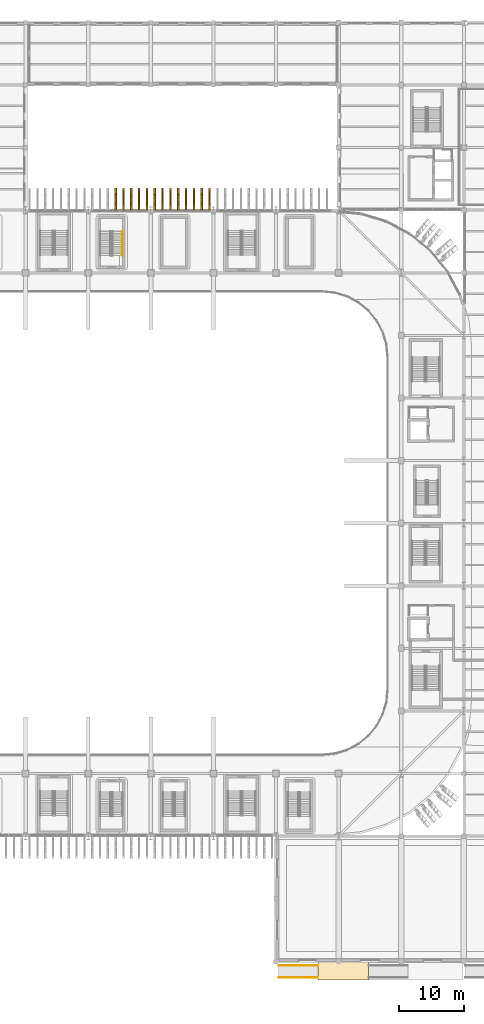
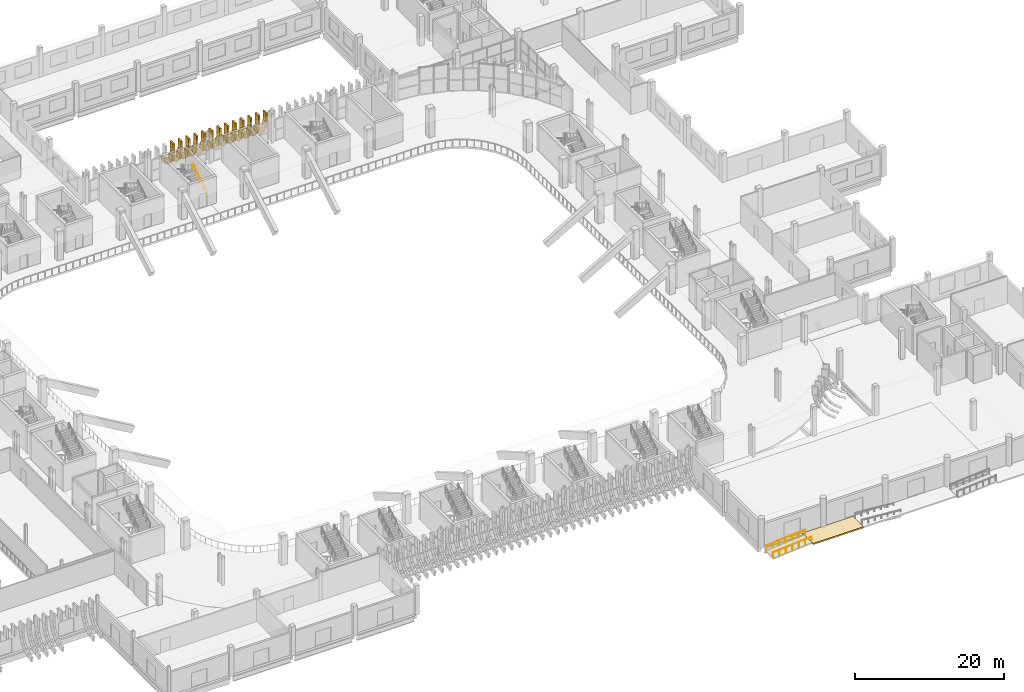
# One storey, part 88 of 100: 79 coverings, 3 railings.
"""IFC4 building model written with IfcOpenShell, lengths in metres."""

import ifcopenshell
import ifcopenshell.guid

model = None  # the IFC model being written
_history = None  # IfcOwnerHistory: only IFC2X3 demands one
_inside = {}  # id of a spatial element -> (the spatial element, [elements in it])
_under = {}  # id of a project, library or spatial element -> (it, [spatial elements below it])
_declared = {}  # id of a project -> (the project, [libraries it declares])
_typed = {}  # id of a type object -> (the type object, [elements of that type])
_made_of = {}  # id of a material, layer set ... -> (it, [elements and type objects made of it])


def new_model(schema):
    """Start an empty IFC model of exactly this schema.

    Asked for "IFC4X3", IfcOpenShell would pick the latest addendum, in which some entities
    have other attributes; the version numbers below select the first issue.
    IFC2X3 requires an IfcOwnerHistory on every rooted entity: one is made here for all.
    """
    global model, _history
    if schema == "IFC4X3":
        model = ifcopenshell.file(schema_version=(4, 3, 0, 0))
    else:
        model = ifcopenshell.file(schema=schema)
    _inside.clear()
    _under.clear()
    _declared.clear()
    _typed.clear()
    _made_of.clear()
    _history = None
    if model.schema == "IFC2X3":
        org = make("IfcOrganization", Name="unknown")
        user = make(
            "IfcPersonAndOrganization",
            ThePerson=make("IfcPerson", FamilyName="unknown"),
            TheOrganization=org,
        )
        app = make(
            "IfcApplication",
            ApplicationDeveloper=org,
            Version="unknown",
            ApplicationFullName="unknown",
            ApplicationIdentifier="unknown",
        )
        _history = make(
            "IfcOwnerHistory",
            OwningUser=user,
            OwningApplication=app,
            ChangeAction="ADDED",
            CreationDate=0,
        )
    return model


def make(cls, **values):
    """One entity of the class cls with the attributes given. An attribute that is None is left unset."""
    return model.create_entity(
        cls, **{name: value for name, value in values.items() if value is not None}
    )


def rooted(cls, **values):
    """An entity with a GlobalId (a new one), such as an element, a storey or a relation."""
    return make(cls, GlobalId=ifcopenshell.guid.new(), OwnerHistory=_history, **values)


def si_unit(unit_type, name, prefix=None):
    """IfcSIUnit, for example si_unit("LENGTHUNIT", "METRE", prefix="MILLI")."""
    return make("IfcSIUnit", UnitType=unit_type, Prefix=prefix, Name=name)


def assignment(units):
    """IfcUnitAssignment: the units of a project."""
    return None if units is None else make("IfcUnitAssignment", Units=units)


def point(xyz):
    """IfcCartesianPoint."""
    return None if xyz is None else make("IfcCartesianPoint", Coordinates=xyz)


def direction(xyz):
    """IfcDirection."""
    return None if xyz is None else make("IfcDirection", DirectionRatios=xyz)


def frame(location, z_axis=None, x_axis=None):
    """IfcAxis2Placement3D, a coordinate frame: its origin and axes. An axis left out is left unset."""
    return make(
        "IfcAxis2Placement3D",
        Location=point(location),
        Axis=direction(z_axis),
        RefDirection=direction(x_axis),
    )


def frame_2d(location, x_axis=None):
    """IfcAxis2Placement2D, a coordinate frame in the plane: its origin and x axis."""
    return make(
        "IfcAxis2Placement2D", Location=point(location), RefDirection=direction(x_axis)
    )


def origin():
    """The frame at (0, 0, 0) with its axes left unset."""
    return frame((0.0, 0.0, 0.0))


def origin_2d():
    """The frame at (0, 0) in the plane with its x axis left unset."""
    return frame_2d((0.0, 0.0))


def place(relative_to, where):
    """IfcLocalPlacement: puts the frame where relative to a parent placement (None: the world)."""
    return make(
        "IfcLocalPlacement", PlacementRelTo=relative_to, RelativePlacement=where
    )


def context(
    kind, dimensions, precision=None, world=None, true_north=None, identifier=None
):
    """IfcGeometricRepresentationContext, for example the 3D "Model" context."""
    return make(
        "IfcGeometricRepresentationContext",
        ContextIdentifier=identifier,
        ContextType=kind,
        CoordinateSpaceDimension=dimensions,
        Precision=precision,
        WorldCoordinateSystem=world,
        TrueNorth=true_north,
    )


def subcontext(parent, identifier, kind, view, scale=None):
    """IfcGeometricRepresentationSubContext, for example "Body" below "Model"."""
    return make(
        "IfcGeometricRepresentationSubContext",
        ContextIdentifier=identifier,
        ContextType=kind,
        ParentContext=parent,
        TargetScale=scale,
        TargetView=view,
    )


def project(units=None, contexts=None):
    """IfcProject with its units and contexts."""
    return rooted(
        "IfcProject",
        Name="project",
        RepresentationContexts=contexts,
        UnitsInContext=assignment(units),
    )


def spatial(cls, under=None, at=None, **own):
    """A site, building, storey or space (cls), placed at a placement, below another one or the project."""
    s = rooted(cls, ObjectPlacement=at, **own)
    if under is not None:
        _under.setdefault(under.id(), (under, []))[1].append(s)
    return s


def polyline(points):
    """IfcPolyline through the points."""
    return make("IfcPolyline", Points=[point(p) for p in points])


def profile(cls, at=None, kind="AREA", **sizes):
    """A parametric profile (cls). Its sizes go by their IFC names, for example OverallWidth=200.0."""
    return make(cls, ProfileType=kind, Position=at, **sizes)


def rectangle(**sizes):
    """IfcRectangleProfileDef."""
    return profile("IfcRectangleProfileDef", **sizes)


def circle(**sizes):
    """IfcCircleProfileDef."""
    return profile("IfcCircleProfileDef", **sizes)


def outline(outer, holes=None, kind="AREA"):
    """IfcArbitraryClosedProfileDef: a profile drawn as a closed curve; with holes, ...WithVoids."""
    if holes is None:
        return make("IfcArbitraryClosedProfileDef", ProfileType=kind, OuterCurve=outer)
    return make(
        "IfcArbitraryProfileDefWithVoids",
        ProfileType=kind,
        OuterCurve=outer,
        InnerCurves=holes,
    )


def extrude(swept, where, along, depth):
    """IfcExtrudedAreaSolid: the profile swept, set in the frame where, extruded along a direction by depth."""
    return make(
        "IfcExtrudedAreaSolid",
        SweptArea=swept,
        Position=where,
        ExtrudedDirection=direction(along),
        Depth=depth,
    )


def shape(context_of_items, identifier, shape_type, items):
    """IfcShapeRepresentation: the items that make up one representation, for example the "Body"."""
    return make(
        "IfcShapeRepresentation",
        ContextOfItems=context_of_items,
        RepresentationIdentifier=identifier,
        RepresentationType=shape_type,
        Items=items,
    )


def material(Name=None, Category=None):
    """IfcMaterial."""
    return make("IfcMaterial", Name=Name, Category=Category)


def layer(
    of_material, thickness, ventilated=None, Name=None, Category=None, Priority=None
):
    """IfcMaterialLayer: one layer of a wall or slab, of a material (None: an air gap)."""
    return make(
        "IfcMaterialLayer",
        Material=of_material,
        LayerThickness=thickness,
        IsVentilated=ventilated,
        Name=Name,
        Category=Category,
        Priority=Priority,
    )


def layer_set(layers, Name=None):
    """IfcMaterialLayerSet."""
    return make("IfcMaterialLayerSet", MaterialLayers=layers, LayerSetName=Name)


def material_profile(
    of_material, cross_section, Name=None, Category=None, Priority=None
):
    """IfcMaterialProfile: a cross section and its material."""
    return make(
        "IfcMaterialProfile",
        Name=Name,
        Material=of_material,
        Profile=cross_section,
        Priority=Priority,
        Category=Category,
    )


def profile_set(profiles, Name=None, composite=None):
    """IfcMaterialProfileSet."""
    return make(
        "IfcMaterialProfileSet",
        Name=Name,
        MaterialProfiles=profiles,
        CompositeProfile=composite,
    )


def made_of(thing, what):
    """Note that an element or type object is made of a material, layer set ...; save() writes the relation."""
    if what is not None:
        _made_of.setdefault(what.id(), (what, []))[1].append(thing)
    return thing


def type_object(cls, material=None, **own):
    """A type object (cls), such as IfcWallType, which elements share."""
    return made_of(rooted(cls, **own), material)


def element(
    cls,
    number,
    at=None,
    inside=None,
    cuts=None,
    type_object=None,
    material=None,
    context=None,
    identifier="Body",
    shape_type=None,
    held_by="IfcProductDefinitionShape",
    body=None,
    shapes=None,
    **own,
):
    """One element of the class cls, such as IfcWall. Its Tag is "e" and its number.

    at: its placement. inside: the storey or other place that contains it. cuts: it is an
    opening in that element (IfcRelVoidsElement). A single representation is given by context,
    identifier, shape_type and body (its items); several are given by shapes. held_by: the class
    of the entity that holds the representations. save() writes the other relations.
    """
    e = rooted(cls, Tag="e%d" % number, ObjectPlacement=at, **own)
    if body is not None:
        shapes = [shape(context, identifier, shape_type, body)]
    if shapes is not None:
        e.Representation = make(held_by, Representations=shapes)
    if inside is not None:
        _inside.setdefault(inside.id(), (inside, []))[1].append(e)
    if cuts is not None:
        rooted(
            "IfcRelVoidsElement", RelatingBuildingElement=cuts, RelatedOpeningElement=e
        )
    if type_object is not None:
        _typed.setdefault(type_object.id(), (type_object, []))[1].append(e)
    return made_of(e, material)


def aggregate(whole, parts):
    """IfcRelAggregates: a whole, such as a stair, and the parts it consists of."""
    return rooted("IfcRelAggregates", RelatingObject=whole, RelatedObjects=parts)


def save(model, path):
    """Write the relations noted so far, then the file.

    IfcRelAggregates (storeys below a building ...), IfcRelContainedInSpatialStructure (elements
    in a storey), IfcRelDefinesByType, IfcRelAssociatesMaterial and IfcRelDeclares: one each for
    every whole, place, type object, material and project.
    """
    for whole, parts in _under.values():
        aggregate(whole, parts)
    for where, things in _inside.values():
        rooted(
            "IfcRelContainedInSpatialStructure",
            RelatedElements=things,
            RelatingStructure=where,
        )
    for kind, things in _typed.values():
        rooted("IfcRelDefinesByType", RelatedObjects=things, RelatingType=kind)
    for what, things in _made_of.values():
        rooted("IfcRelAssociatesMaterial", RelatedObjects=things, RelatingMaterial=what)
    for by, libraries in _declared.values():
        rooted("IfcRelDeclares", RelatingContext=by, RelatedDefinitions=libraries)
    model.write(path)


model = new_model("IFC4")

# Units and contexts
model_context = context("Model", 3, precision=1e-05, world=origin(), true_north=direction((0.0, 1.0)))
body_context = subcontext(model_context, "Body", "Model", "MODEL_VIEW")
ifc_project = project(units=[si_unit("LENGTHUNIT", "METRE"), si_unit("AREAUNIT", "SQUARE_METRE"), si_unit("VOLUMEUNIT", "CUBIC_METRE"), si_unit("PLANEANGLEUNIT", "RADIAN"), si_unit("MASSUNIT", "GRAM", prefix="KILO")], contexts=[model_context])

# Site, building, storey
site_placement = place(None, origin())
site = spatial("IfcSite", under=ifc_project, at=site_placement, CompositionType="ELEMENT")
building_placement = place(site_placement, origin())
building = spatial("IfcBuilding", under=site, at=building_placement, Name="Caelomonte Colonnade Arena", CompositionType="ELEMENT")
storey_placement = place(building_placement, origin())
storey = spatial("IfcBuildingStorey", under=building, at=storey_placement, Name="L00", CompositionType="ELEMENT", Elevation=0.0)

# Coverings
ifc_material_1 = material(Name="Travertine colonnade arrival paving", Category="masonry")
ifc_layer = layer(ifc_material_1, 0.0400390625)
ifc_layer_set = layer_set([ifc_layer], Name="Travertine colonnade arrival paving")
covering_type_1 = type_object("IfcCoveringType", Name="ENV-CV-PAV25", PredefinedType="FLOORING", material=ifc_layer_set)
covering_1_placement = place(storey_placement, frame((0.0, 0.0, -0.219970703125)))
element("IfcCovering", 1, at=covering_1_placement, inside=storey, type_object=covering_type_1, Name="Portico forecourt accessible landing 1", PredefinedType="FLOORING", context=body_context, shape_type="SweptSolid", body=[
    extrude(outline(polyline([(140.800048828125, -2.85009765625), (148.60009765625, -2.85009765625), (148.60009765625, -0.02001953125), (140.800048828125, -0.02001953125), (140.800048828125, -2.85009765625)])), origin(), (0.0, 0.0, 1.0), 0.219970703125),
])
ifc_material_2 = material(Name="Precast travertine cladding", Category="masonry")
ifc_material_profile = material_profile(ifc_material_2, rectangle(XDim=0.260009765625, YDim=0.85009765625, at=origin_2d()), Name="FIN260X850")
ifc_profile_set = profile_set([ifc_material_profile], Name="Precast travertine cladding")
covering_type_2 = type_object("IfcCoveringType", Name="ENV-FN-SKIRT", PredefinedType="CLADDING", material=ifc_profile_set)
covering_2_placement = place(storey_placement, frame((124.199951171875, 115.62109375, 3.360107421875), z_axis=(0.0, 0.0, 1.0), x_axis=(1.0, 0.0, 0.0)))
element("IfcCovering", 2, at=covering_2_placement, inside=storey, type_object=covering_type_2, Name="V1 L00 upper classical fin stem 108", PredefinedType="CLADDING", context=body_context, shape_type="SweptSolid", body=[
    extrude(rectangle(XDim=0.260009765625, YDim=0.85009765625, at=origin_2d()), origin(), (0.0, 0.0, 1.0), 1.4599609375),
])
for number, where, z_axis, x_axis, name in (
    (3, (124.199951171875, 115.614013671875, 3.474609375), (0.0, 0.153076342973, -0.988214366027), (-1.0, 0.0, 0.0), "V1 L00 splayed classical fin skirt chord 1 (108)"),
    (4, (124.199951171875, 115.741455078125, 2.563232421875), (0.0, 0.444692864571, -0.89568312265), (-1.0, 0.0, 0.0), "V1 L00 splayed classical fin skirt chord 2 (108)"),
    (5, (124.199951171875, 116.13818359375, 1.733154296875), (0.0, 0.694646381209, -0.71935137803), (-1.0, 0.0, 0.0), "V1 L00 splayed classical fin skirt chord 3 (108)"),
    (6, (124.199951171875, 116.767578125, 1.061767578125), (0.0, 0.879731158529, -0.475471438379), (-1.0, 0.0, 0.0), "V1 L00 splayed classical fin skirt chord 4 (108)"),
):
    element("IfcCovering", number, at=place(storey_placement, frame(where, z_axis=z_axis, x_axis=x_axis)), inside=storey, type_object=covering_type_2, Name=name, PredefinedType="CLADDING", context=body_context, shape_type="SweptSolid", body=[
        extrude(rectangle(XDim=0.260009765625, YDim=0.85009765625, at=origin_2d()), origin(), (0.0, 0.0, 1.0), 1.008056640625),
    ])
covering_3_placement = place(storey_placement, frame((124.199951171875, 117.5703125, 0.6123046875), z_axis=(0.0, 0.982296384632, -0.187333426643), x_axis=(-1.0, 0.0, 0.0)))
element("IfcCovering", 7, at=covering_3_placement, inside=storey, type_object=covering_type_2, Name="V1 L00 splayed classical fin skirt chord 5 (108)", PredefinedType="CLADDING", context=body_context, shape_type="SweptSolid", body=[
    extrude(rectangle(XDim=0.260009765625, YDim=0.85009765625, at=origin_2d()), origin(), (0.0, 0.0, 1.0), 0.963134765625),
])
covering_4_placement = place(storey_placement, frame((123.0, 115.62109375, 3.360107421875), z_axis=(0.0, 0.0, 1.0), x_axis=(1.0, 0.0, 0.0)))
element("IfcCovering", 8, at=covering_4_placement, inside=storey, type_object=covering_type_2, Name="V1 L00 upper classical fin stem 109", PredefinedType="CLADDING", context=body_context, shape_type="SweptSolid", body=[
    extrude(rectangle(XDim=0.260009765625, YDim=0.85009765625, at=origin_2d()), origin(), (0.0, 0.0, 1.0), 1.4599609375),
])
for number, where, z_axis, x_axis, name in (
    (9, (123.0, 115.614013671875, 3.474609375), (0.0, 0.153076342973, -0.988214366027), (-1.0, 0.0, 0.0), "V1 L00 splayed classical fin skirt chord 1 (109)"),
    (10, (123.0, 115.741455078125, 2.563232421875), (0.0, 0.444692864571, -0.89568312265), (-1.0, 0.0, 0.0), "V1 L00 splayed classical fin skirt chord 2 (109)"),
    (11, (123.0, 116.13818359375, 1.733154296875), (0.0, 0.694646381209, -0.71935137803), (-1.0, 0.0, 0.0), "V1 L00 splayed classical fin skirt chord 3 (109)"),
    (12, (123.0, 116.767578125, 1.061767578125), (0.0, 0.879731158529, -0.475471438379), (-1.0, 0.0, 0.0), "V1 L00 splayed classical fin skirt chord 4 (109)"),
):
    element("IfcCovering", number, at=place(storey_placement, frame(where, z_axis=z_axis, x_axis=x_axis)), inside=storey, type_object=covering_type_2, Name=name, PredefinedType="CLADDING", context=body_context, shape_type="SweptSolid", body=[
        extrude(rectangle(XDim=0.260009765625, YDim=0.85009765625, at=origin_2d()), origin(), (0.0, 0.0, 1.0), 1.008056640625),
    ])
covering_5_placement = place(storey_placement, frame((123.0, 117.5703125, 0.6123046875), z_axis=(0.0, 0.982296384632, -0.187333426643), x_axis=(-1.0, 0.0, 0.0)))
element("IfcCovering", 13, at=covering_5_placement, inside=storey, type_object=covering_type_2, Name="V1 L00 splayed classical fin skirt chord 5 (109)", PredefinedType="CLADDING", context=body_context, shape_type="SweptSolid", body=[
    extrude(rectangle(XDim=0.260009765625, YDim=0.85009765625, at=origin_2d()), origin(), (0.0, 0.0, 1.0), 0.963134765625),
])
covering_6_placement = place(storey_placement, frame((121.800048828125, 115.62109375, 3.360107421875), z_axis=(0.0, 0.0, 1.0), x_axis=(1.0, 0.0, 0.0)))
element("IfcCovering", 14, at=covering_6_placement, inside=storey, type_object=covering_type_2, Name="V1 L00 upper classical fin stem 110", PredefinedType="CLADDING", context=body_context, shape_type="SweptSolid", body=[
    extrude(rectangle(XDim=0.260009765625, YDim=0.85009765625, at=origin_2d()), origin(), (0.0, 0.0, 1.0), 1.4599609375),
])
for number, where, z_axis, x_axis, name in (
    (15, (121.800048828125, 115.614013671875, 3.474609375), (0.0, 0.153076342973, -0.988214366027), (-1.0, 0.0, 0.0), "V1 L00 splayed classical fin skirt chord 1 (110)"),
    (16, (121.800048828125, 115.741455078125, 2.563232421875), (0.0, 0.444692864571, -0.89568312265), (-1.0, 0.0, 0.0), "V1 L00 splayed classical fin skirt chord 2 (110)"),
    (17, (121.800048828125, 116.13818359375, 1.733154296875), (0.0, 0.694646381209, -0.71935137803), (-1.0, 0.0, 0.0), "V1 L00 splayed classical fin skirt chord 3 (110)"),
    (18, (121.800048828125, 116.767578125, 1.061767578125), (0.0, 0.879731158529, -0.475471438379), (-1.0, 0.0, 0.0), "V1 L00 splayed classical fin skirt chord 4 (110)"),
):
    element("IfcCovering", number, at=place(storey_placement, frame(where, z_axis=z_axis, x_axis=x_axis)), inside=storey, type_object=covering_type_2, Name=name, PredefinedType="CLADDING", context=body_context, shape_type="SweptSolid", body=[
        extrude(rectangle(XDim=0.260009765625, YDim=0.85009765625, at=origin_2d()), origin(), (0.0, 0.0, 1.0), 1.008056640625),
    ])
covering_7_placement = place(storey_placement, frame((121.800048828125, 117.5703125, 0.6123046875), z_axis=(0.0, 0.982296384632, -0.187333426643), x_axis=(-1.0, 0.0, 0.0)))
element("IfcCovering", 19, at=covering_7_placement, inside=storey, type_object=covering_type_2, Name="V1 L00 splayed classical fin skirt chord 5 (110)", PredefinedType="CLADDING", context=body_context, shape_type="SweptSolid", body=[
    extrude(rectangle(XDim=0.260009765625, YDim=0.85009765625, at=origin_2d()), origin(), (0.0, 0.0, 1.0), 0.963134765625),
])
covering_8_placement = place(storey_placement, frame((120.60009765625, 115.62109375, 3.360107421875), z_axis=(0.0, 0.0, 1.0), x_axis=(1.0, 0.0, 0.0)))
element("IfcCovering", 20, at=covering_8_placement, inside=storey, type_object=covering_type_2, Name="V1 L00 upper classical fin stem 111", PredefinedType="CLADDING", context=body_context, shape_type="SweptSolid", body=[
    extrude(rectangle(XDim=0.260009765625, YDim=0.85009765625, at=origin_2d()), origin(), (0.0, 0.0, 1.0), 1.4599609375),
])
for number, where, z_axis, x_axis, name in (
    (21, (120.60009765625, 115.614013671875, 3.474609375), (0.0, 0.153076342973, -0.988214366027), (-1.0, 0.0, 0.0), "V1 L00 splayed classical fin skirt chord 1 (111)"),
    (22, (120.60009765625, 115.741455078125, 2.563232421875), (0.0, 0.444692864571, -0.89568312265), (-1.0, 0.0, 0.0), "V1 L00 splayed classical fin skirt chord 2 (111)"),
    (23, (120.60009765625, 116.13818359375, 1.733154296875), (0.0, 0.694646381209, -0.71935137803), (-1.0, 0.0, 0.0), "V1 L00 splayed classical fin skirt chord 3 (111)"),
    (24, (120.60009765625, 116.767578125, 1.061767578125), (0.0, 0.879731158529, -0.475471438379), (-1.0, 0.0, 0.0), "V1 L00 splayed classical fin skirt chord 4 (111)"),
):
    element("IfcCovering", number, at=place(storey_placement, frame(where, z_axis=z_axis, x_axis=x_axis)), inside=storey, type_object=covering_type_2, Name=name, PredefinedType="CLADDING", context=body_context, shape_type="SweptSolid", body=[
        extrude(rectangle(XDim=0.260009765625, YDim=0.85009765625, at=origin_2d()), origin(), (0.0, 0.0, 1.0), 1.008056640625),
    ])
covering_9_placement = place(storey_placement, frame((120.60009765625, 117.5703125, 0.6123046875), z_axis=(0.0, 0.982296384632, -0.187333426643), x_axis=(-1.0, 0.0, 0.0)))
element("IfcCovering", 25, at=covering_9_placement, inside=storey, type_object=covering_type_2, Name="V1 L00 splayed classical fin skirt chord 5 (111)", PredefinedType="CLADDING", context=body_context, shape_type="SweptSolid", body=[
    extrude(rectangle(XDim=0.260009765625, YDim=0.85009765625, at=origin_2d()), origin(), (0.0, 0.0, 1.0), 0.963134765625),
])
covering_10_placement = place(storey_placement, frame((119.39990234375, 115.62109375, 3.360107421875), z_axis=(0.0, 0.0, 1.0), x_axis=(1.0, 0.0, 0.0)))
element("IfcCovering", 26, at=covering_10_placement, inside=storey, type_object=covering_type_2, Name="V1 L00 upper classical fin stem 112", PredefinedType="CLADDING", context=body_context, shape_type="SweptSolid", body=[
    extrude(rectangle(XDim=0.260009765625, YDim=0.85009765625, at=origin_2d()), origin(), (0.0, 0.0, 1.0), 1.4599609375),
])
for number, where, z_axis, x_axis, name in (
    (27, (119.39990234375, 115.614013671875, 3.474609375), (0.0, 0.153076342973, -0.988214366027), (-1.0, 0.0, 0.0), "V1 L00 splayed classical fin skirt chord 1 (112)"),
    (28, (119.39990234375, 115.741455078125, 2.563232421875), (0.0, 0.444692864571, -0.89568312265), (-1.0, 0.0, 0.0), "V1 L00 splayed classical fin skirt chord 2 (112)"),
    (29, (119.39990234375, 116.13818359375, 1.733154296875), (0.0, 0.694646381209, -0.71935137803), (-1.0, 0.0, 0.0), "V1 L00 splayed classical fin skirt chord 3 (112)"),
    (30, (119.39990234375, 116.767578125, 1.061767578125), (0.0, 0.879731158529, -0.475471438379), (-1.0, 0.0, 0.0), "V1 L00 splayed classical fin skirt chord 4 (112)"),
):
    element("IfcCovering", number, at=place(storey_placement, frame(where, z_axis=z_axis, x_axis=x_axis)), inside=storey, type_object=covering_type_2, Name=name, PredefinedType="CLADDING", context=body_context, shape_type="SweptSolid", body=[
        extrude(rectangle(XDim=0.260009765625, YDim=0.85009765625, at=origin_2d()), origin(), (0.0, 0.0, 1.0), 1.008056640625),
    ])
covering_11_placement = place(storey_placement, frame((119.39990234375, 117.5703125, 0.6123046875), z_axis=(0.0, 0.982296384632, -0.187333426643), x_axis=(-1.0, 0.0, 0.0)))
element("IfcCovering", 31, at=covering_11_placement, inside=storey, type_object=covering_type_2, Name="V1 L00 splayed classical fin skirt chord 5 (112)", PredefinedType="CLADDING", context=body_context, shape_type="SweptSolid", body=[
    extrude(rectangle(XDim=0.260009765625, YDim=0.85009765625, at=origin_2d()), origin(), (0.0, 0.0, 1.0), 0.963134765625),
])
covering_12_placement = place(storey_placement, frame((118.199951171875, 115.62109375, 3.360107421875), z_axis=(0.0, 0.0, 1.0), x_axis=(1.0, 0.0, 0.0)))
element("IfcCovering", 32, at=covering_12_placement, inside=storey, type_object=covering_type_2, Name="V1 L00 upper classical fin stem 113", PredefinedType="CLADDING", context=body_context, shape_type="SweptSolid", body=[
    extrude(rectangle(XDim=0.260009765625, YDim=0.85009765625, at=origin_2d()), origin(), (0.0, 0.0, 1.0), 1.4599609375),
])
for number, where, z_axis, x_axis, name in (
    (33, (118.199951171875, 115.614013671875, 3.474609375), (0.0, 0.153076342973, -0.988214366027), (-1.0, 0.0, 0.0), "V1 L00 splayed classical fin skirt chord 1 (113)"),
    (34, (118.199951171875, 115.741455078125, 2.563232421875), (0.0, 0.444692864571, -0.89568312265), (-1.0, 0.0, 0.0), "V1 L00 splayed classical fin skirt chord 2 (113)"),
    (35, (118.199951171875, 116.13818359375, 1.733154296875), (0.0, 0.694646381209, -0.71935137803), (-1.0, 0.0, 0.0), "V1 L00 splayed classical fin skirt chord 3 (113)"),
    (36, (118.199951171875, 116.767578125, 1.061767578125), (0.0, 0.879731158529, -0.475471438379), (-1.0, 0.0, 0.0), "V1 L00 splayed classical fin skirt chord 4 (113)"),
):
    element("IfcCovering", number, at=place(storey_placement, frame(where, z_axis=z_axis, x_axis=x_axis)), inside=storey, type_object=covering_type_2, Name=name, PredefinedType="CLADDING", context=body_context, shape_type="SweptSolid", body=[
        extrude(rectangle(XDim=0.260009765625, YDim=0.85009765625, at=origin_2d()), origin(), (0.0, 0.0, 1.0), 1.008056640625),
    ])
covering_13_placement = place(storey_placement, frame((118.199951171875, 117.5703125, 0.6123046875), z_axis=(0.0, 0.982296384632, -0.187333426643), x_axis=(-1.0, 0.0, 0.0)))
element("IfcCovering", 37, at=covering_13_placement, inside=storey, type_object=covering_type_2, Name="V1 L00 splayed classical fin skirt chord 5 (113)", PredefinedType="CLADDING", context=body_context, shape_type="SweptSolid", body=[
    extrude(rectangle(XDim=0.260009765625, YDim=0.85009765625, at=origin_2d()), origin(), (0.0, 0.0, 1.0), 0.963134765625),
])
covering_14_placement = place(storey_placement, frame((117.0, 115.62109375, 3.360107421875), z_axis=(0.0, 0.0, 1.0), x_axis=(1.0, 0.0, 0.0)))
element("IfcCovering", 38, at=covering_14_placement, inside=storey, type_object=covering_type_2, Name="V1 L00 upper classical fin stem 114", PredefinedType="CLADDING", context=body_context, shape_type="SweptSolid", body=[
    extrude(rectangle(XDim=0.260009765625, YDim=0.85009765625, at=origin_2d()), origin(), (0.0, 0.0, 1.0), 1.4599609375),
])
for number, where, z_axis, x_axis, name in (
    (39, (117.0, 115.614013671875, 3.474609375), (0.0, 0.153076342973, -0.988214366027), (-1.0, 0.0, 0.0), "V1 L00 splayed classical fin skirt chord 1 (114)"),
    (40, (117.0, 115.741455078125, 2.563232421875), (0.0, 0.444692864571, -0.89568312265), (-1.0, 0.0, 0.0), "V1 L00 splayed classical fin skirt chord 2 (114)"),
    (41, (117.0, 116.13818359375, 1.733154296875), (0.0, 0.694646381209, -0.71935137803), (-1.0, 0.0, 0.0), "V1 L00 splayed classical fin skirt chord 3 (114)"),
    (42, (117.0, 116.767578125, 1.061767578125), (0.0, 0.879731158529, -0.475471438379), (-1.0, 0.0, 0.0), "V1 L00 splayed classical fin skirt chord 4 (114)"),
):
    element("IfcCovering", number, at=place(storey_placement, frame(where, z_axis=z_axis, x_axis=x_axis)), inside=storey, type_object=covering_type_2, Name=name, PredefinedType="CLADDING", context=body_context, shape_type="SweptSolid", body=[
        extrude(rectangle(XDim=0.260009765625, YDim=0.85009765625, at=origin_2d()), origin(), (0.0, 0.0, 1.0), 1.008056640625),
    ])
covering_15_placement = place(storey_placement, frame((117.0, 117.5703125, 0.6123046875), z_axis=(0.0, 0.982296384632, -0.187333426643), x_axis=(-1.0, 0.0, 0.0)))
element("IfcCovering", 43, at=covering_15_placement, inside=storey, type_object=covering_type_2, Name="V1 L00 splayed classical fin skirt chord 5 (114)", PredefinedType="CLADDING", context=body_context, shape_type="SweptSolid", body=[
    extrude(rectangle(XDim=0.260009765625, YDim=0.85009765625, at=origin_2d()), origin(), (0.0, 0.0, 1.0), 0.963134765625),
])
covering_16_placement = place(storey_placement, frame((115.800048828125, 115.62109375, 3.360107421875), z_axis=(0.0, 0.0, 1.0), x_axis=(1.0, 0.0, 0.0)))
element("IfcCovering", 44, at=covering_16_placement, inside=storey, type_object=covering_type_2, Name="V1 L00 upper classical fin stem 115", PredefinedType="CLADDING", context=body_context, shape_type="SweptSolid", body=[
    extrude(rectangle(XDim=0.260009765625, YDim=0.85009765625, at=origin_2d()), origin(), (0.0, 0.0, 1.0), 1.4599609375),
])
for number, where, z_axis, x_axis, name in (
    (45, (115.800048828125, 115.614013671875, 3.474609375), (0.0, 0.153076342973, -0.988214366027), (-1.0, 0.0, 0.0), "V1 L00 splayed classical fin skirt chord 1 (115)"),
    (46, (115.800048828125, 115.741455078125, 2.563232421875), (0.0, 0.444692864571, -0.89568312265), (-1.0, 0.0, 0.0), "V1 L00 splayed classical fin skirt chord 2 (115)"),
    (47, (115.800048828125, 116.13818359375, 1.733154296875), (0.0, 0.694646381209, -0.71935137803), (-1.0, 0.0, 0.0), "V1 L00 splayed classical fin skirt chord 3 (115)"),
    (48, (115.800048828125, 116.767578125, 1.061767578125), (0.0, 0.879731158529, -0.475471438379), (-1.0, 0.0, 0.0), "V1 L00 splayed classical fin skirt chord 4 (115)"),
):
    element("IfcCovering", number, at=place(storey_placement, frame(where, z_axis=z_axis, x_axis=x_axis)), inside=storey, type_object=covering_type_2, Name=name, PredefinedType="CLADDING", context=body_context, shape_type="SweptSolid", body=[
        extrude(rectangle(XDim=0.260009765625, YDim=0.85009765625, at=origin_2d()), origin(), (0.0, 0.0, 1.0), 1.008056640625),
    ])
covering_17_placement = place(storey_placement, frame((115.800048828125, 117.5703125, 0.6123046875), z_axis=(0.0, 0.982296384632, -0.187333426643), x_axis=(-1.0, 0.0, 0.0)))
element("IfcCovering", 49, at=covering_17_placement, inside=storey, type_object=covering_type_2, Name="V1 L00 splayed classical fin skirt chord 5 (115)", PredefinedType="CLADDING", context=body_context, shape_type="SweptSolid", body=[
    extrude(rectangle(XDim=0.260009765625, YDim=0.85009765625, at=origin_2d()), origin(), (0.0, 0.0, 1.0), 0.963134765625),
])
covering_18_placement = place(storey_placement, frame((114.60009765625, 115.62109375, 3.360107421875), z_axis=(0.0, 0.0, 1.0), x_axis=(1.0, 0.0, 0.0)))
element("IfcCovering", 50, at=covering_18_placement, inside=storey, type_object=covering_type_2, Name="V1 L00 upper classical fin stem 116", PredefinedType="CLADDING", context=body_context, shape_type="SweptSolid", body=[
    extrude(rectangle(XDim=0.260009765625, YDim=0.85009765625, at=origin_2d()), origin(), (0.0, 0.0, 1.0), 1.4599609375),
])
for number, where, z_axis, x_axis, name in (
    (51, (114.60009765625, 115.614013671875, 3.474609375), (0.0, 0.153076342973, -0.988214366027), (-1.0, 0.0, 0.0), "V1 L00 splayed classical fin skirt chord 1 (116)"),
    (52, (114.60009765625, 115.741455078125, 2.563232421875), (0.0, 0.444692864571, -0.89568312265), (-1.0, 0.0, 0.0), "V1 L00 splayed classical fin skirt chord 2 (116)"),
    (53, (114.60009765625, 116.13818359375, 1.733154296875), (0.0, 0.694646381209, -0.71935137803), (-1.0, 0.0, 0.0), "V1 L00 splayed classical fin skirt chord 3 (116)"),
    (54, (114.60009765625, 116.767578125, 1.061767578125), (0.0, 0.879731158529, -0.475471438379), (-1.0, 0.0, 0.0), "V1 L00 splayed classical fin skirt chord 4 (116)"),
):
    element("IfcCovering", number, at=place(storey_placement, frame(where, z_axis=z_axis, x_axis=x_axis)), inside=storey, type_object=covering_type_2, Name=name, PredefinedType="CLADDING", context=body_context, shape_type="SweptSolid", body=[
        extrude(rectangle(XDim=0.260009765625, YDim=0.85009765625, at=origin_2d()), origin(), (0.0, 0.0, 1.0), 1.008056640625),
    ])
covering_19_placement = place(storey_placement, frame((114.60009765625, 117.5703125, 0.6123046875), z_axis=(0.0, 0.982296384632, -0.187333426643), x_axis=(-1.0, 0.0, 0.0)))
element("IfcCovering", 55, at=covering_19_placement, inside=storey, type_object=covering_type_2, Name="V1 L00 splayed classical fin skirt chord 5 (116)", PredefinedType="CLADDING", context=body_context, shape_type="SweptSolid", body=[
    extrude(rectangle(XDim=0.260009765625, YDim=0.85009765625, at=origin_2d()), origin(), (0.0, 0.0, 1.0), 0.963134765625),
])
covering_20_placement = place(storey_placement, frame((113.39990234375, 115.62109375, 3.360107421875), z_axis=(0.0, 0.0, 1.0), x_axis=(1.0, 0.0, 0.0)))
element("IfcCovering", 56, at=covering_20_placement, inside=storey, type_object=covering_type_2, Name="V1 L00 upper classical fin stem 117", PredefinedType="CLADDING", context=body_context, shape_type="SweptSolid", body=[
    extrude(rectangle(XDim=0.260009765625, YDim=0.85009765625, at=origin_2d()), origin(), (0.0, 0.0, 1.0), 1.4599609375),
])
for number, where, z_axis, x_axis, name in (
    (57, (113.39990234375, 115.614013671875, 3.474609375), (0.0, 0.153076342973, -0.988214366027), (-1.0, 0.0, 0.0), "V1 L00 splayed classical fin skirt chord 1 (117)"),
    (58, (113.39990234375, 115.741455078125, 2.563232421875), (0.0, 0.444692864571, -0.89568312265), (-1.0, 0.0, 0.0), "V1 L00 splayed classical fin skirt chord 2 (117)"),
    (59, (113.39990234375, 116.13818359375, 1.733154296875), (0.0, 0.694646381209, -0.71935137803), (-1.0, 0.0, 0.0), "V1 L00 splayed classical fin skirt chord 3 (117)"),
    (60, (113.39990234375, 116.767578125, 1.061767578125), (0.0, 0.879731158529, -0.475471438379), (-1.0, 0.0, 0.0), "V1 L00 splayed classical fin skirt chord 4 (117)"),
):
    element("IfcCovering", number, at=place(storey_placement, frame(where, z_axis=z_axis, x_axis=x_axis)), inside=storey, type_object=covering_type_2, Name=name, PredefinedType="CLADDING", context=body_context, shape_type="SweptSolid", body=[
        extrude(rectangle(XDim=0.260009765625, YDim=0.85009765625, at=origin_2d()), origin(), (0.0, 0.0, 1.0), 1.008056640625),
    ])
covering_21_placement = place(storey_placement, frame((113.39990234375, 117.5703125, 0.6123046875), z_axis=(0.0, 0.982296384632, -0.187333426643), x_axis=(-1.0, 0.0, 0.0)))
element("IfcCovering", 61, at=covering_21_placement, inside=storey, type_object=covering_type_2, Name="V1 L00 splayed classical fin skirt chord 5 (117)", PredefinedType="CLADDING", context=body_context, shape_type="SweptSolid", body=[
    extrude(rectangle(XDim=0.260009765625, YDim=0.85009765625, at=origin_2d()), origin(), (0.0, 0.0, 1.0), 0.963134765625),
])
covering_22_placement = place(storey_placement, frame((112.199951171875, 115.62109375, 3.360107421875), z_axis=(0.0, 0.0, 1.0), x_axis=(1.0, 0.0, 0.0)))
element("IfcCovering", 62, at=covering_22_placement, inside=storey, type_object=covering_type_2, Name="V1 L00 upper classical fin stem 118", PredefinedType="CLADDING", context=body_context, shape_type="SweptSolid", body=[
    extrude(rectangle(XDim=0.260009765625, YDim=0.85009765625, at=origin_2d()), origin(), (0.0, 0.0, 1.0), 1.4599609375),
])
for number, where, z_axis, x_axis, name in (
    (63, (112.199951171875, 115.614013671875, 3.474609375), (0.0, 0.153076342973, -0.988214366027), (-1.0, 0.0, 0.0), "V1 L00 splayed classical fin skirt chord 1 (118)"),
    (64, (112.199951171875, 115.741455078125, 2.563232421875), (0.0, 0.444692864571, -0.89568312265), (-1.0, 0.0, 0.0), "V1 L00 splayed classical fin skirt chord 2 (118)"),
    (65, (112.199951171875, 116.13818359375, 1.733154296875), (0.0, 0.694646381209, -0.71935137803), (-1.0, 0.0, 0.0), "V1 L00 splayed classical fin skirt chord 3 (118)"),
    (66, (112.199951171875, 116.767578125, 1.061767578125), (0.0, 0.879731158529, -0.475471438379), (-1.0, 0.0, 0.0), "V1 L00 splayed classical fin skirt chord 4 (118)"),
):
    element("IfcCovering", number, at=place(storey_placement, frame(where, z_axis=z_axis, x_axis=x_axis)), inside=storey, type_object=covering_type_2, Name=name, PredefinedType="CLADDING", context=body_context, shape_type="SweptSolid", body=[
        extrude(rectangle(XDim=0.260009765625, YDim=0.85009765625, at=origin_2d()), origin(), (0.0, 0.0, 1.0), 1.008056640625),
    ])
covering_23_placement = place(storey_placement, frame((112.199951171875, 117.5703125, 0.6123046875), z_axis=(0.0, 0.982296384632, -0.187333426643), x_axis=(-1.0, 0.0, 0.0)))
element("IfcCovering", 67, at=covering_23_placement, inside=storey, type_object=covering_type_2, Name="V1 L00 splayed classical fin skirt chord 5 (118)", PredefinedType="CLADDING", context=body_context, shape_type="SweptSolid", body=[
    extrude(rectangle(XDim=0.260009765625, YDim=0.85009765625, at=origin_2d()), origin(), (0.0, 0.0, 1.0), 0.963134765625),
])
covering_24_placement = place(storey_placement, frame((111.0, 115.62109375, 3.360107421875), z_axis=(0.0, 0.0, 1.0), x_axis=(1.0, 0.0, 0.0)))
element("IfcCovering", 68, at=covering_24_placement, inside=storey, type_object=covering_type_2, Name="V1 L00 upper classical fin stem 119", PredefinedType="CLADDING", context=body_context, shape_type="SweptSolid", body=[
    extrude(rectangle(XDim=0.260009765625, YDim=0.85009765625, at=origin_2d()), origin(), (0.0, 0.0, 1.0), 1.4599609375),
])
for number, where, z_axis, x_axis, name in (
    (69, (111.0, 115.614013671875, 3.474609375), (0.0, 0.153076342973, -0.988214366027), (-1.0, 0.0, 0.0), "V1 L00 splayed classical fin skirt chord 1 (119)"),
    (70, (111.0, 115.741455078125, 2.563232421875), (0.0, 0.444692864571, -0.89568312265), (-1.0, 0.0, 0.0), "V1 L00 splayed classical fin skirt chord 2 (119)"),
    (71, (111.0, 116.13818359375, 1.733154296875), (0.0, 0.694646381209, -0.71935137803), (-1.0, 0.0, 0.0), "V1 L00 splayed classical fin skirt chord 3 (119)"),
    (72, (111.0, 116.767578125, 1.061767578125), (0.0, 0.879731158529, -0.475471438379), (-1.0, 0.0, 0.0), "V1 L00 splayed classical fin skirt chord 4 (119)"),
):
    element("IfcCovering", number, at=place(storey_placement, frame(where, z_axis=z_axis, x_axis=x_axis)), inside=storey, type_object=covering_type_2, Name=name, PredefinedType="CLADDING", context=body_context, shape_type="SweptSolid", body=[
        extrude(rectangle(XDim=0.260009765625, YDim=0.85009765625, at=origin_2d()), origin(), (0.0, 0.0, 1.0), 1.008056640625),
    ])
covering_25_placement = place(storey_placement, frame((111.0, 117.5703125, 0.6123046875), z_axis=(0.0, 0.982296384632, -0.187333426643), x_axis=(-1.0, 0.0, 0.0)))
element("IfcCovering", 73, at=covering_25_placement, inside=storey, type_object=covering_type_2, Name="V1 L00 splayed classical fin skirt chord 5 (119)", PredefinedType="CLADDING", context=body_context, shape_type="SweptSolid", body=[
    extrude(rectangle(XDim=0.260009765625, YDim=0.85009765625, at=origin_2d()), origin(), (0.0, 0.0, 1.0), 0.963134765625),
])
covering_26_placement = place(storey_placement, frame((109.800048828125, 115.62109375, 3.360107421875), z_axis=(0.0, 0.0, 1.0), x_axis=(1.0, 0.0, 0.0)))
element("IfcCovering", 74, at=covering_26_placement, inside=storey, type_object=covering_type_2, Name="V1 L00 upper classical fin stem 120", PredefinedType="CLADDING", context=body_context, shape_type="SweptSolid", body=[
    extrude(rectangle(XDim=0.260009765625, YDim=0.85009765625, at=origin_2d()), origin(), (0.0, 0.0, 1.0), 1.4599609375),
])
for number, where, z_axis, x_axis, name in (
    (75, (109.800048828125, 115.614013671875, 3.474609375), (0.0, 0.153076342973, -0.988214366027), (-1.0, 0.0, 0.0), "V1 L00 splayed classical fin skirt chord 1 (120)"),
    (76, (109.800048828125, 115.741455078125, 2.563232421875), (0.0, 0.444692864571, -0.89568312265), (-1.0, 0.0, 0.0), "V1 L00 splayed classical fin skirt chord 2 (120)"),
    (77, (109.800048828125, 116.13818359375, 1.733154296875), (0.0, 0.694646381209, -0.71935137803), (-1.0, 0.0, 0.0), "V1 L00 splayed classical fin skirt chord 3 (120)"),
    (78, (109.800048828125, 116.767578125, 1.061767578125), (0.0, 0.879731158529, -0.475471438379), (-1.0, 0.0, 0.0), "V1 L00 splayed classical fin skirt chord 4 (120)"),
):
    element("IfcCovering", number, at=place(storey_placement, frame(where, z_axis=z_axis, x_axis=x_axis)), inside=storey, type_object=covering_type_2, Name=name, PredefinedType="CLADDING", context=body_context, shape_type="SweptSolid", body=[
        extrude(rectangle(XDim=0.260009765625, YDim=0.85009765625, at=origin_2d()), origin(), (0.0, 0.0, 1.0), 1.008056640625),
    ])
covering_27_placement = place(storey_placement, frame((109.800048828125, 117.5703125, 0.6123046875), z_axis=(0.0, 0.982296384632, -0.187333426643), x_axis=(-1.0, 0.0, 0.0)))
element("IfcCovering", 79, at=covering_27_placement, inside=storey, type_object=covering_type_2, Name="V1 L00 splayed classical fin skirt chord 5 (120)", PredefinedType="CLADDING", context=body_context, shape_type="SweptSolid", body=[
    extrude(rectangle(XDim=0.260009765625, YDim=0.85009765625, at=origin_2d()), origin(), (0.0, 0.0, 1.0), 0.963134765625),
])

# Railings
ifc_material_3 = material(Name="Stainless steel tubular handrail", Category="steel")
railing_type_1 = type_object("IfcRailingType", Name="ENV-RL-HR1", PredefinedType="HANDRAIL", material=ifc_material_3)
for number, where, name in (
    (80, (134.800048828125, -2.469970703125, -0.489990234375), "Accessible ramp PR-01 handrail 1"),
    (81, (134.800048828125, -0.6298828125, -0.489990234375), "Accessible ramp PR-01 handrail 2"),
):
    element("IfcRailing", number, at=place(storey_placement, frame(where)), inside=storey, type_object=railing_type_1, Name=name, PredefinedType="HANDRAIL", context=body_context, shape_type="SweptSolid", body=[
        extrude(circle(Radius=0.02392578125, at=origin_2d()), frame((0.0, 0.0, 0.89599609375), z_axis=(0.99694637106, 0.0, 0.078089264498), x_axis=(0.0, 1.0, 0.0)), (0.0, 0.0, 1.0), 6.018310546875),
        extrude(circle(Radius=0.02099609375, at=origin_2d()), origin(), (0.0, 0.0, 1.0), 0.867919921875),
        extrude(circle(Radius=0.02099609375, at=origin_2d()), frame((1.0, 0.0, 0.078369140625)), (0.0, 0.0, 1.0), 0.867919921875),
        extrude(circle(Radius=0.02099609375, at=origin_2d()), frame((2.0, 0.0, 0.15673828125)), (0.0, 0.0, 1.0), 0.867919921875),
        extrude(circle(Radius=0.02099609375, at=origin_2d()), frame((3.0, 0.0, 0.23486328125)), (0.0, 0.0, 1.0), 0.867919921875),
        extrude(circle(Radius=0.02099609375, at=origin_2d()), frame((4.0, 0.0, 0.313232421875)), (0.0, 0.0, 1.0), 0.867919921875),
        extrude(circle(Radius=0.02099609375, at=origin_2d()), frame((5.0, 0.0, 0.3916015625)), (0.0, 0.0, 1.0), 0.867919921875),
        extrude(circle(Radius=0.02099609375, at=origin_2d()), frame((6.0, 0.0, 0.469970703125)), (0.0, 0.0, 1.0), 0.867919921875),
    ])
ifc_material_4 = material(Name="Brushed stainless steel stair handrail", Category="steel")
railing_type_2 = type_object("IfcRailingType", Name="INT-RL-HR", PredefinedType="HANDRAIL", material=ifc_material_4)
railing_placement = place(storey_placement, frame((110.85009765625, 108.25, 0.17138671875)))
element("IfcRailing", 82, at=railing_placement, inside=storey, type_object=railing_type_2, Name="L00 ST-V06 stair handrail 1", PredefinedType="HANDRAIL", context=body_context, shape_type="SweptSolid", body=[
    extrude(circle(Radius=0.02392578125, at=origin_2d()), frame((0.0, 0.0, 0.8759765625), z_axis=(0.0, 0.856934400257, 0.515425487977), x_axis=(-1.0, 0.0, 0.0)), (0.0, 0.0, 1.0), 4.32373046875),
    extrude(circle(Radius=0.02099609375, at=origin_2d()), origin(), (0.0, 0.0, 1.0), 0.847900390625),
    extrude(circle(Radius=0.02099609375, at=origin_2d()), frame((0.0, 0.92626953125, 0.55712890625)), (0.0, 0.0, 1.0), 0.847900390625),
    extrude(circle(Radius=0.02099609375, at=origin_2d()), frame((0.0, 1.8525390625, 1.1142578125)), (0.0, 0.0, 1.0), 0.847900390625),
    extrude(circle(Radius=0.02099609375, at=origin_2d()), frame((0.0, 2.77880859375, 1.67138671875)), (0.0, 0.0, 1.0), 0.847900390625),
    extrude(circle(Radius=0.02099609375, at=origin_2d()), frame((0.0, 3.705078125, 2.228515625)), (0.0, 0.0, 1.0), 0.847900390625),
])

save(model, "model.ifc")
